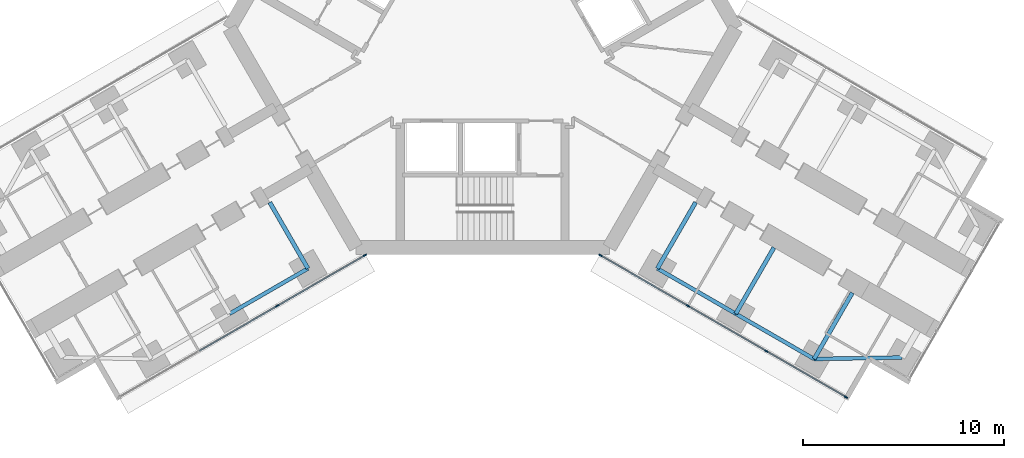
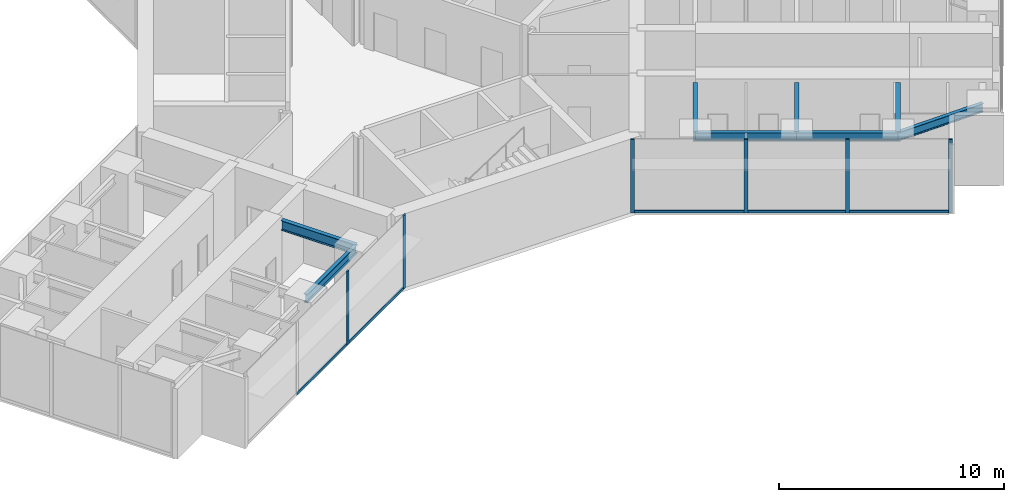
# One storey, part 9 of 25: 11 members, 8 beams, 2 elements without a shape of their own.
"""IFC4 building model written with IfcOpenShell, lengths in metres."""

from ifc_helpers import new_model, si_unit, direction, frame, origin, origin_2d, place, context, subcontext, project, spatial, rectangle, i_section, extrude, material, material_profile, profile_set, type_object, element, aggregate, save


model = new_model("IFC4")

# Units and contexts
model_context = context("Model", 3, precision=1e-05, world=origin(), true_north=direction((0.0, 1.0)))
body_context = subcontext(model_context, "Body", "Model", "MODEL_VIEW")
ifc_project = project(units=[si_unit("LENGTHUNIT", "METRE"), si_unit("AREAUNIT", "SQUARE_METRE"), si_unit("VOLUMEUNIT", "CUBIC_METRE"), si_unit("PLANEANGLEUNIT", "RADIAN"), si_unit("MASSUNIT", "GRAM", prefix="KILO")], contexts=[model_context])

# Site, building, storey
site_placement = place(None, origin())
site = spatial("IfcSite", under=ifc_project, at=site_placement, CompositionType="ELEMENT")
building_placement = place(site_placement, origin())
building = spatial("IfcBuilding", under=site, at=building_placement, Name="Upepo Twin Towers", CompositionType="ELEMENT")
storey_placement = place(building_placement, frame((0.0, 0.0, 80.5)))
storey = spatial("IfcBuildingStorey", under=building, at=storey_placement, Name="L19", CompositionType="ELEMENT", Elevation=80.5)

# Beams
ifc_material_1 = material(Name="Steel S355", Category="steel")
ifc_material_profile_1 = material_profile(ifc_material_1, i_section(OverallWidth=0.1904296875, OverallDepth=0.45703125, WebThickness=0.009033203125, FlangeThickness=0.014404296875, FilletRadius=0.01025390625, at=origin_2d()), Name="UB 457x191x74")
ifc_profile_set_1 = profile_set([ifc_material_profile_1], Name="Steel S355")
beam_type_1 = type_object("IfcBeamType", Name="Beam UB 457x191x74", PredefinedType="BEAM", material=ifc_profile_set_1)
for number, where, z_axis, x_axis, name in (
    (1, (49.80859375, -29.946044921875, 3.571533203125), (-0.866017533419, -0.500013631625, 0.0), (0.500013631625, -0.866017533419, 0.0), "T2 edge beam BL 13.5-18.0"),
    (2, (67.19140625, -29.946044921875, 3.571533203125), (0.866017533419, -0.500013631625, 0.0), (0.500013631625, 0.866017533419, 0.0), "T2 edge beam CR 13.5-18.0"),
):
    element("IfcBeam", number, at=place(storey_placement, frame(where, z_axis=z_axis, x_axis=x_axis)), inside=storey, type_object=beam_type_1, Name=name, PredefinedType="BEAM", context=body_context, shape_type="SweptSolid", body=[
        extrude(i_section(OverallWidth=0.1904296875, OverallDepth=0.45703125, WebThickness=0.009033203125, FlangeThickness=0.014404296875, FilletRadius=0.01025390625, at=origin_2d()), origin(), (0.0, 0.0, 1.0), 4.499755859375),
    ])
beam_1_placement = place(storey_placement, frame((71.08837890625, -32.196044921875, 3.571533203125), z_axis=(0.866031096941, -0.499990139034, 0.0), x_axis=(0.499990139034, 0.866031096941, 0.0)))
element("IfcBeam", 3, at=beam_1_placement, inside=storey, type_object=beam_type_1, Name="T2 edge beam CR 18.0-22.5", PredefinedType="BEAM", context=body_context, shape_type="SweptSolid", body=[
    extrude(i_section(OverallWidth=0.1904296875, OverallDepth=0.45703125, WebThickness=0.009033203125, FlangeThickness=0.014404296875, FilletRadius=0.01025390625, at=origin_2d()), origin(), (0.0, 0.0, 1.0), 4.5),
])
beam_2_placement = place(storey_placement, frame((74.985595703125, -34.446044921875, 3.571533203125), z_axis=(0.999858804832, 0.016803880528, 0.0), x_axis=(-0.016803880528, 0.999858804832, 0.0)))
element("IfcBeam", 4, at=beam_2_placement, inside=storey, type_object=beam_type_1, Name="T2 nose edge beam CR", PredefinedType="BEAM", context=body_context, shape_type="SweptSolid", body=[
    extrude(i_section(OverallWidth=0.1904296875, OverallDepth=0.45703125, WebThickness=0.009033203125, FlangeThickness=0.014404296875, FilletRadius=0.01025390625, at=origin_2d()), origin(), (0.0, 0.0, 1.0), 4.373291015625),
])
ifc_material_2 = material(Name="Steel S355", Category="steel")
ifc_material_profile_2 = material_profile(ifc_material_2, i_section(OverallWidth=0.209228515625, OverallDepth=0.533203125, WebThickness=0.010009765625, FlangeThickness=0.015625, FilletRadius=0.0126953125, at=origin_2d()), Name="UB 533x210x92")
ifc_profile_set_2 = profile_set([ifc_material_profile_2], Name="Steel S355")
beam_type_2 = type_object("IfcBeamType", Name="Beam UB 533x210x92", PredefinedType="BEAM", material=ifc_profile_set_2)
for number, where, z_axis, x_axis, name in (
    (5, (49.80859375, -29.946044921875, 3.533447265625), (-0.499994975061, 0.866028304915, 0.0), (-0.866028304915, -0.499994975061, 0.0), "T2 girder BL at 13.5"),
    (6, (67.19140625, -29.946044921875, 3.533447265625), (0.499994975061, 0.866028304915, 0.0), (-0.866028304915, 0.499994975061, 0.0), "T2 girder CR at 13.5"),
):
    element("IfcBeam", number, at=place(storey_placement, frame(where, z_axis=z_axis, x_axis=x_axis)), inside=storey, type_object=beam_type_2, Name=name, PredefinedType="BEAM", context=body_context, shape_type="SweptSolid", body=[
        extrude(i_section(OverallWidth=0.209228515625, OverallDepth=0.533203125, WebThickness=0.010009765625, FlangeThickness=0.015625, FilletRadius=0.0126953125, at=origin_2d()), origin(), (0.0, 0.0, 1.0), 3.7998046875),
    ])
beam_3_placement = place(storey_placement, frame((71.08837890625, -32.196044921875, 3.533447265625), z_axis=(0.500043160704, 0.866000483506, 0.0), x_axis=(-0.866000483506, 0.500043160704, 0.0)))
element("IfcBeam", 7, at=beam_3_placement, inside=storey, type_object=beam_type_2, Name="T2 girder CR at 18.0", PredefinedType="BEAM", context=body_context, shape_type="SweptSolid", body=[
    extrude(i_section(OverallWidth=0.209228515625, OverallDepth=0.533203125, WebThickness=0.010009765625, FlangeThickness=0.015625, FilletRadius=0.0126953125, at=origin_2d()), origin(), (0.0, 0.0, 1.0), 3.800048828125),
])
beam_4_placement = place(storey_placement, frame((74.985595703125, -34.446044921875, 3.533447265625), z_axis=(0.499994975061, 0.866028304915, 0.0), x_axis=(-0.866028304915, 0.499994975061, 0.0)))
element("IfcBeam", 8, at=beam_4_placement, inside=storey, type_object=beam_type_2, Name="T2 girder CR at 22.5", PredefinedType="BEAM", context=body_context, shape_type="SweptSolid", body=[
    extrude(i_section(OverallWidth=0.209228515625, OverallDepth=0.533203125, WebThickness=0.010009765625, FlangeThickness=0.015625, FilletRadius=0.0126953125, at=origin_2d()), origin(), (0.0, 0.0, 1.0), 3.7998046875),
])

# Curtain wall, members
ifc_material_3 = material(Name="Aluminium and fritted glass", Category="aluminium")
curtain_wall_type = type_object("IfcCurtainWallType", Name="Tower curtain wall TW1, fritted glass", PredefinedType="NOTDEFINED", material=ifc_material_3)
curtain_wall_1_placement = place(storey_placement, origin())
curtain_wall_1 = element("IfcCurtainWall", 9, at=curtain_wall_1_placement, inside=storey, type_object=curtain_wall_type, Name="T2 L19 wing B flank L curtain wall", PredefinedType="NOTDEFINED")
ifc_material_4 = material(Name="Aluminium mullion", Category="aluminium")
ifc_material_profile_3 = material_profile(ifc_material_4, rectangle(XDim=0.06494140625, YDim=0.179931640625, at=origin_2d()), Name="MULLION 65x180")
ifc_profile_set_3 = profile_set([ifc_material_profile_3], Name="Aluminium mullion")
member_type_1 = type_object("IfcMemberType", Name="Mullion 65x180 TW1", PredefinedType="MULLION", material=ifc_profile_set_3)
member_1_placement = place(storey_placement, frame((52.6416015625, -29.2919921875, 0.0), z_axis=(0.0, 0.0, 1.0), x_axis=(0.500000024426, -0.866025389682, 0.0)))
member_1 = element("IfcMember", 10, at=member_1_placement, type_object=member_type_1, Name="T2 L19 wing B flank L curtain wall mullion 1", PredefinedType="MULLION", context=body_context, shape_type="SweptSolid", body=[
    extrude(rectangle(XDim=0.06494140625, YDim=0.179931640625, at=origin_2d()), origin(), (0.0, 0.0, 1.0), 4.0),
])
member_2_placement = place(storey_placement, frame((48.28515625, -31.807373046875, 0.0), z_axis=(0.0, 0.0, 1.0), x_axis=(0.500000024426, -0.866025389682, 0.0)))
member_2 = element("IfcMember", 11, at=member_2_placement, type_object=member_type_1, Name="T2 L19 wing B flank L curtain wall mullion 2", PredefinedType="MULLION", context=body_context, shape_type="SweptSolid", body=[
    extrude(rectangle(XDim=0.06494140625, YDim=0.179931640625, at=origin_2d()), origin(), (0.0, 0.0, 1.0), 4.0),
])

curtain_wall_2_placement = place(storey_placement, origin())
curtain_wall_2 = element("IfcCurtainWall", 12, at=curtain_wall_2_placement, inside=storey, type_object=curtain_wall_type, Name="T2 L19 wing C flank R curtain wall", PredefinedType="NOTDEFINED")
member_3_placement = place(storey_placement, frame((76.567626953125, -36.341064453125, 0.0), z_axis=(0.0, 0.0, 1.0), x_axis=(-0.500000024426, -0.866025389682, 0.0)))
member_3 = element("IfcMember", 13, at=member_3_placement, type_object=member_type_1, Name="T2 L19 wing C flank R curtain wall mullion 1", PredefinedType="MULLION", context=body_context, shape_type="SweptSolid", body=[
    extrude(rectangle(XDim=0.06494140625, YDim=0.179931640625, at=origin_2d()), origin(), (0.0, 0.0, 1.0), 4.0),
])
member_4_placement = place(storey_placement, frame((72.612060546875, -34.057373046875, 0.0), z_axis=(0.0, 0.0, 1.0), x_axis=(-0.500000024426, -0.866025389682, 0.0)))
member_4 = element("IfcMember", 14, at=member_4_placement, type_object=member_type_1, Name="T2 L19 wing C flank R curtain wall mullion 2", PredefinedType="MULLION", context=body_context, shape_type="SweptSolid", body=[
    extrude(rectangle(XDim=0.06494140625, YDim=0.179931640625, at=origin_2d()), origin(), (0.0, 0.0, 1.0), 4.0),
])
member_5_placement = place(storey_placement, frame((68.71484375, -31.807373046875, 0.0), z_axis=(0.0, 0.0, 1.0), x_axis=(-0.500000024426, -0.866025389682, 0.0)))
member_5 = element("IfcMember", 15, at=member_5_placement, type_object=member_type_1, Name="T2 L19 wing C flank R curtain wall mullion 3", PredefinedType="MULLION", context=body_context, shape_type="SweptSolid", body=[
    extrude(rectangle(XDim=0.06494140625, YDim=0.179931640625, at=origin_2d()), origin(), (0.0, 0.0, 1.0), 4.0),
])
member_6_placement = place(storey_placement, frame((64.3583984375, -29.2919921875, 0.0), z_axis=(0.0, 0.0, 1.0), x_axis=(-0.500000024426, -0.866025389682, 0.0)))
member_6 = element("IfcMember", 16, at=member_6_placement, type_object=member_type_1, Name="T2 L19 wing C flank R curtain wall mullion 4", PredefinedType="MULLION", context=body_context, shape_type="SweptSolid", body=[
    extrude(rectangle(XDim=0.06494140625, YDim=0.179931640625, at=origin_2d()), origin(), (0.0, 0.0, 1.0), 4.0),
])

# Member
ifc_material_5 = material(Name="Aluminium transom", Category="aluminium")
ifc_material_profile_4 = material_profile(ifc_material_5, rectangle(XDim=0.06494140625, YDim=0.14990234375, at=origin_2d()), Name="TRANSOM 65x150")
ifc_profile_set_4 = profile_set([ifc_material_profile_4], Name="Aluminium transom")
member_type_2 = type_object("IfcMemberType", Name="Transom 65x150 TW1", PredefinedType="USERDEFINED", material=ifc_profile_set_4)
member_7_placement = place(storey_placement, frame((52.61328125, -29.308349609375, 0.074951171875), z_axis=(-0.866022642139, -0.50000478328, 0.0), x_axis=(0.50000478328, -0.866022642139, 0.0)))
member_7 = element("IfcMember", 17, at=member_7_placement, type_object=member_type_2, Name="T2 L19 wing B flank L curtain wall transom 1", ObjectType="TRANSOM", PredefinedType="USERDEFINED", context=body_context, shape_type="SweptSolid", body=[
    extrude(rectangle(XDim=0.06494140625, YDim=0.14990234375, at=origin_2d()), origin(), (0.0, 0.0, 1.0), 4.96533203125),
])

member_8_placement = place(storey_placement, frame((48.2568359375, -31.823486328125, 0.074951171875), z_axis=(-0.866022410713, -0.500005184116, 0.0), x_axis=(0.500005184116, -0.866022410713, 0.0)))
member_8 = element("IfcMember", 18, at=member_8_placement, type_object=member_type_2, Name="T2 L19 wing B flank L curtain wall transom 2", ObjectType="TRANSOM", PredefinedType="USERDEFINED", context=body_context, shape_type="SweptSolid", body=[
    extrude(rectangle(XDim=0.06494140625, YDim=0.14990234375, at=origin_2d()), origin(), (0.0, 0.0, 1.0), 4.43505859375),
])

aggregate(curtain_wall_1, [member_1, member_2, member_7, member_8])

member_9_placement = place(storey_placement, frame((76.53955078125, -36.32470703125, 0.074951171875), z_axis=(-0.866035699072, 0.499982167615, 0.0), x_axis=(-0.499982167615, -0.866035699072, 0.0)))
member_9 = element("IfcMember", 19, at=member_9_placement, type_object=member_type_2, Name="T2 L19 wing C flank R curtain wall transom 1", ObjectType="TRANSOM", PredefinedType="USERDEFINED", context=body_context, shape_type="SweptSolid", body=[
    extrude(rectangle(XDim=0.06494140625, YDim=0.14990234375, at=origin_2d()), origin(), (0.0, 0.0, 1.0), 4.502685546875),
])

member_10_placement = place(storey_placement, frame((72.583984375, -34.041015625, 0.074951171875), z_axis=(-0.866022410713, 0.500005184116, 0.0), x_axis=(-0.500005184116, -0.866022410713, 0.0)))
member_10 = element("IfcMember", 20, at=member_10_placement, type_object=member_type_2, Name="T2 L19 wing C flank R curtain wall transom 2", ObjectType="TRANSOM", PredefinedType="USERDEFINED", context=body_context, shape_type="SweptSolid", body=[
    extrude(rectangle(XDim=0.06494140625, YDim=0.14990234375, at=origin_2d()), origin(), (0.0, 0.0, 1.0), 4.43505859375),
])

member_11_placement = place(storey_placement, frame((68.686767578125, -31.791015625, 0.074951171875), z_axis=(-0.866022642139, 0.50000478328, 0.0), x_axis=(-0.50000478328, -0.866022642139, 0.0)))
member_11 = element("IfcMember", 21, at=member_11_placement, type_object=member_type_2, Name="T2 L19 wing C flank R curtain wall transom 3", ObjectType="TRANSOM", PredefinedType="USERDEFINED", context=body_context, shape_type="SweptSolid", body=[
    extrude(rectangle(XDim=0.06494140625, YDim=0.14990234375, at=origin_2d()), origin(), (0.0, 0.0, 1.0), 4.96533203125),
])

aggregate(curtain_wall_2, [member_3, member_4, member_5, member_6, member_9, member_10, member_11])

save(model, "model.ifc")
